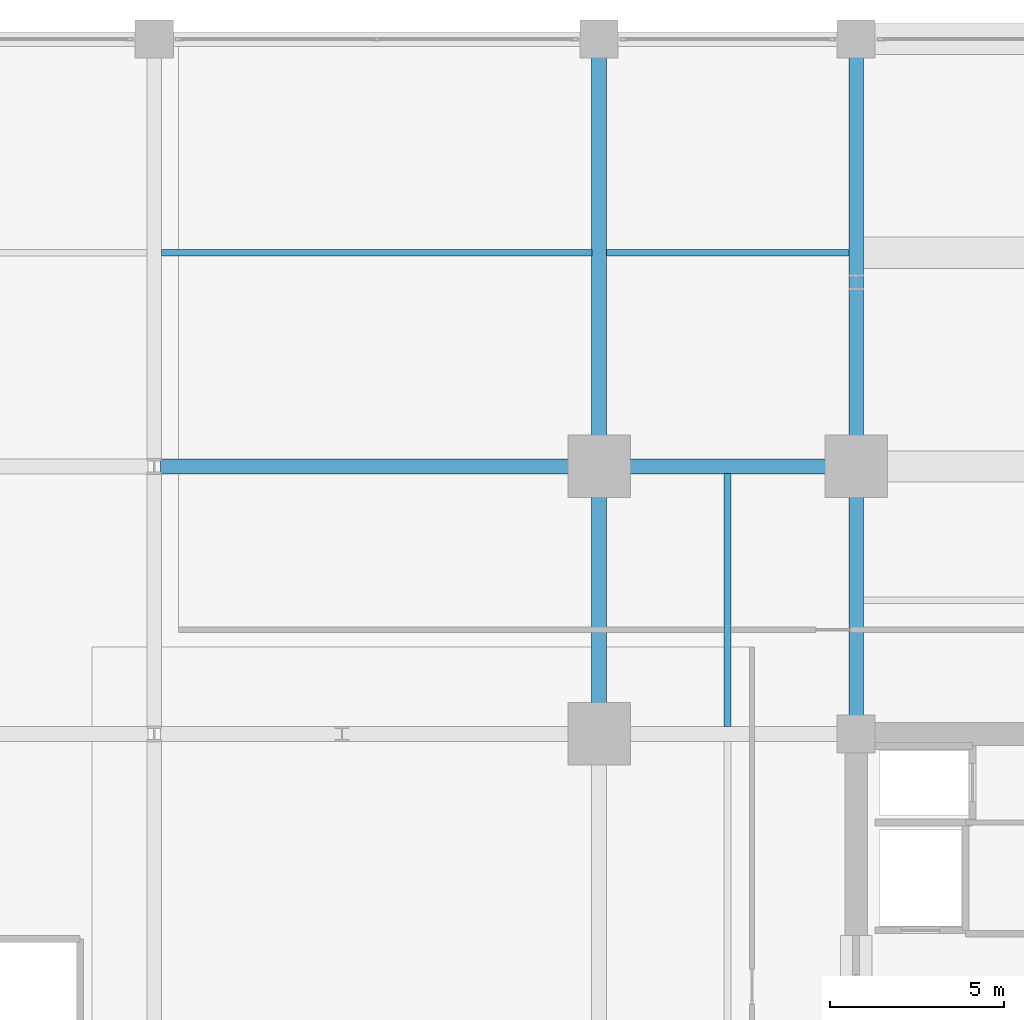
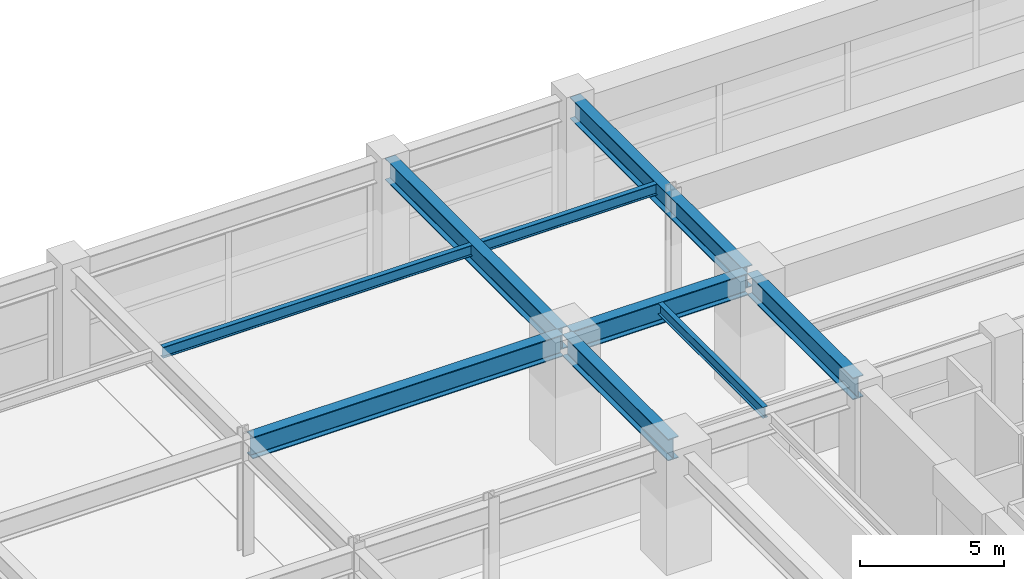
# One storey, part 12 of 35: 9 beams.
"""IFC4 building model written with IfcOpenShell, lengths in metres."""

from ifc_helpers import new_model, si_unit, direction, frame, origin, origin_2d, place, context, subcontext, project, spatial, i_section, extrude, material, material_profile, profile_set, type_object, element, save


model = new_model("IFC4")

# Units and contexts
model_context = context("Model", 3, precision=1e-05, world=origin(), true_north=direction((0.0, 1.0)))
body_context = subcontext(model_context, "Body", "Model", "MODEL_VIEW")
ifc_project = project(units=[si_unit("LENGTHUNIT", "METRE"), si_unit("AREAUNIT", "SQUARE_METRE"), si_unit("VOLUMEUNIT", "CUBIC_METRE"), si_unit("PLANEANGLEUNIT", "RADIAN"), si_unit("MASSUNIT", "GRAM", prefix="KILO")], contexts=[model_context])

# Site, building, storey
site_placement = place(None, origin())
site = spatial("IfcSite", under=ifc_project, at=site_placement, CompositionType="ELEMENT")
building_placement = place(site_placement, origin())
building = spatial("IfcBuilding", under=site, at=building_placement, Name="Kovane Verandah Tower", CompositionType="ELEMENT")
storey_placement = place(building_placement, frame((0.0, 0.0, 16.39990234375)))
storey = spatial("IfcBuildingStorey", under=building, at=storey_placement, Name="L03", CompositionType="ELEMENT", Elevation=16.39990234375)

# Beams
ifc_material_1 = material(Name="Steel S460", Category="steel")
ifc_material_profile_1 = material_profile(ifc_material_1, i_section(OverallWidth=0.42041015625, OverallDepth=0.9208984375, WebThickness=0.021484375, FlangeThickness=0.03662109375, FilletRadius=0.024169921875, at=origin_2d()), Name="UB914x419x388")
ifc_profile_set_1 = profile_set([ifc_material_profile_1], Name="Steel S460")
beam_type_1 = type_object("IfcBeamType", Name="BM-UB914x388", PredefinedType="BEAM", material=ifc_profile_set_1)
beam_1_placement = place(storey_placement, frame((21.780029296875, 44.199951171875, 4.439697265625), z_axis=(1.0, 0.0, 0.0), x_axis=(0.0, 1.0, 0.0)))
element("IfcBeam", 1, at=beam_1_placement, inside=storey, type_object=beam_type_1, Name="L03 Primary Tower Girder G-RN1", PredefinedType="BEAM", context=body_context, shape_type="SweptSolid", body=[
    extrude(i_section(OverallWidth=0.42041015625, OverallDepth=0.9208984375, WebThickness=0.021484375, FlangeThickness=0.03662109375, FilletRadius=0.024169921875, at=origin_2d()), origin(), (0.0, 0.0, 1.0), 7.0400390625),
])
for number, where, z_axis, x_axis, name in (
    (2, (21.60009765625, 36.679931640625, 4.439697265625), (0.0, 1.0, 0.0), (-1.0, 0.0, 0.0), "L03 Primary Tower Girder G-RW3"),
    (3, (29.0, 36.679931640625, 4.439697265625), (0.0, 1.0, 0.0), (-1.0, 0.0, 0.0), "L03 Primary Tower Girder G-N1"),
):
    element("IfcBeam", number, at=place(storey_placement, frame(where, z_axis=z_axis, x_axis=x_axis)), inside=storey, type_object=beam_type_1, Name=name, PredefinedType="BEAM", context=body_context, shape_type="SweptSolid", body=[
        extrude(i_section(OverallWidth=0.42041015625, OverallDepth=0.9208984375, WebThickness=0.021484375, FlangeThickness=0.03662109375, FilletRadius=0.024169921875, at=origin_2d()), origin(), (0.0, 0.0, 1.0), 7.340087890625),
    ])
beam_2_placement = place(storey_placement, frame((8.97998046875, 44.199951171875, 4.439697265625), z_axis=(1.0, 0.0, 0.0), x_axis=(0.0, 1.0, 0.0)))
element("IfcBeam", 4, at=beam_2_placement, inside=storey, type_object=beam_type_1, Name="L03 Podium Garden Transfer Girder X14", PredefinedType="BEAM", context=body_context, shape_type="SweptSolid", body=[
    extrude(i_section(OverallWidth=0.42041015625, OverallDepth=0.9208984375, WebThickness=0.021484375, FlangeThickness=0.03662109375, FilletRadius=0.024169921875, at=origin_2d()), origin(), (0.0, 0.0, 1.0), 12.43994140625),
])
for number, where, z_axis, x_axis, name in (
    (5, (21.60009765625, 44.3798828125, 4.439697265625), (0.0, 1.0, 0.0), (-1.0, 0.0, 0.0), "L03 Podium Garden Transfer Girder Y32"),
    (6, (29.0, 44.3798828125, 4.439697265625), (0.0, 1.0, 0.0), (-1.0, 0.0, 0.0), "L03 Podium Garden Transfer Girder Y33"),
):
    element("IfcBeam", number, at=place(storey_placement, frame(where, z_axis=z_axis, x_axis=x_axis)), inside=storey, type_object=beam_type_1, Name=name, PredefinedType="BEAM", context=body_context, shape_type="SweptSolid", body=[
        extrude(i_section(OverallWidth=0.42041015625, OverallDepth=0.9208984375, WebThickness=0.021484375, FlangeThickness=0.03662109375, FilletRadius=0.024169921875, at=origin_2d()), origin(), (0.0, 0.0, 1.0), 11.940185546875),
    ])
ifc_material_2 = material(Name="Steel S355", Category="steel")
ifc_material_profile_2 = material_profile(ifc_material_2, i_section(OverallWidth=0.19287109375, OverallDepth=0.46728515625, WebThickness=0.011474609375, FlangeThickness=0.01953125, FilletRadius=0.01025390625, at=origin_2d()), Name="UB457x191x98")
ifc_profile_set_2 = profile_set([ifc_material_profile_2], Name="Steel S355")
beam_type_2 = type_object("IfcBeamType", Name="JST-UB457x98", PredefinedType="JOIST", material=ifc_profile_set_2)
beam_3_placement = place(storey_placement, frame((25.300048828125, 36.708251953125, 4.66650390625), z_axis=(0.0, 1.0, 0.0), x_axis=(-1.0, 0.0, 0.0)))
element("IfcBeam", 7, at=beam_3_placement, inside=storey, type_object=beam_type_2, Name="L03 Secondary Composite Joist J-NW1", PredefinedType="JOIST", context=body_context, shape_type="SweptSolid", body=[
    extrude(i_section(OverallWidth=0.19287109375, OverallDepth=0.46728515625, WebThickness=0.011474609375, FlangeThickness=0.01953125, FilletRadius=0.01025390625, at=origin_2d()), origin(), (0.0, 0.0, 1.0), 7.283447265625),
])
beam_4_placement = place(storey_placement, frame((9.00830078125, 50.35009765625, 4.66650390625), z_axis=(1.0, 0.0, 0.0), x_axis=(0.0, 1.0, 0.0)))
element("IfcBeam", 8, at=beam_4_placement, inside=storey, type_object=beam_type_2, Name="L03 Podium Secondary Joist 02", PredefinedType="JOIST", context=body_context, shape_type="SweptSolid", body=[
    extrude(i_section(OverallWidth=0.19287109375, OverallDepth=0.46728515625, WebThickness=0.011474609375, FlangeThickness=0.01953125, FilletRadius=0.01025390625, at=origin_2d()), origin(), (0.0, 0.0, 1.0), 12.383544921875),
])
beam_5_placement = place(storey_placement, frame((21.80810546875, 50.35009765625, 4.66650390625), z_axis=(1.0, 0.0, 0.0), x_axis=(0.0, 1.0, 0.0)))
element("IfcBeam", 9, at=beam_5_placement, inside=storey, type_object=beam_type_2, Name="L03 Podium Secondary Joist 03", PredefinedType="JOIST", context=body_context, shape_type="SweptSolid", body=[
    extrude(i_section(OverallWidth=0.19287109375, OverallDepth=0.46728515625, WebThickness=0.011474609375, FlangeThickness=0.01953125, FilletRadius=0.01025390625, at=origin_2d()), origin(), (0.0, 0.0, 1.0), 6.983642578125),
])

save(model, "model.ifc")
